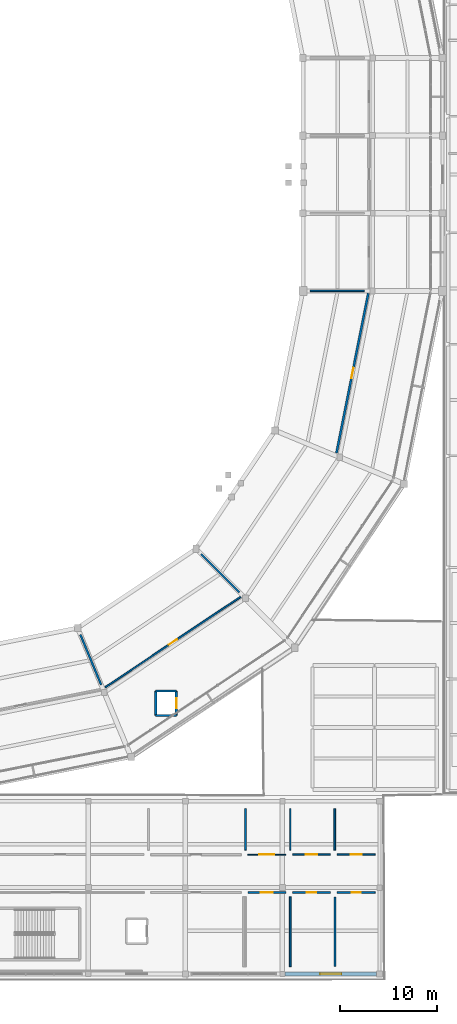
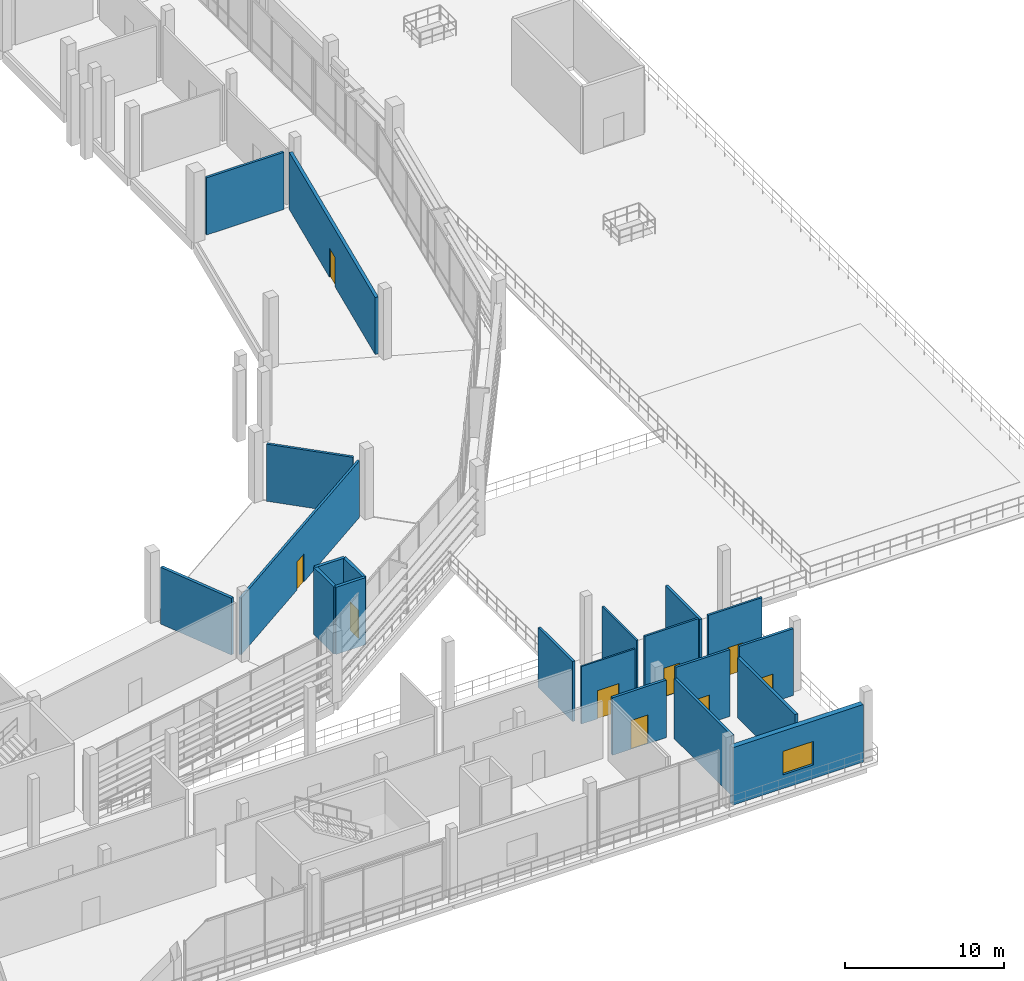
# One storey, part 76 of 111: 21 walls, 9 doors, 1 window, 10 openings.
"""IFC4 building model written with IfcOpenShell, lengths in metres."""

from ifc_helpers import new_model, si_unit, direction, frame, frame_2d, origin, place, context, subcontext, project, spatial, rectangle, extrude, material, layer, layer_set, type_object, element, fill, save


model = new_model("IFC4")

# Units and contexts
model_context = context("Model", 3, precision=1e-05, world=origin(), true_north=direction((0.0, 1.0)))
body_context = subcontext(model_context, "Body", "Model", "MODEL_VIEW")
ifc_project = project(units=[si_unit("LENGTHUNIT", "METRE"), si_unit("AREAUNIT", "SQUARE_METRE"), si_unit("VOLUMEUNIT", "CUBIC_METRE"), si_unit("PLANEANGLEUNIT", "RADIAN"), si_unit("MASSUNIT", "GRAM", prefix="KILO")], contexts=[model_context])

# Site, building, storey
site_placement = place(None, origin())
site = spatial("IfcSite", under=ifc_project, at=site_placement, CompositionType="ELEMENT")
building_placement = place(site_placement, origin())
building = spatial("IfcBuilding", under=site, at=building_placement, Name="Candeia Ridge Stadium", CompositionType="ELEMENT")
storey_placement = place(building_placement, frame((0.0, 0.0, 16.199951171875)))
storey = spatial("IfcBuildingStorey", under=building, at=storey_placement, Name="L03", CompositionType="ELEMENT", Elevation=16.199951171875)

# Wall, opening, door
ifc_material_1 = material(Name="Gypsum Metal-Stud Partition", Category="gypsum")
ifc_layer_1 = layer(ifc_material_1, 0.14501953125, Name="Gypsum Metal-Stud Partition", Category="gypsum")
ifc_layer_set_1 = layer_set([ifc_layer_1], Name="Gypsum Metal-Stud Partition")
wall_type_1 = type_object("IfcWallType", Name="Athlete Recovery Partition 145", PredefinedType="PARTITIONING", material=ifc_layer_set_1)
wall_1_placement = place(storey_placement, frame((181.449951171875, 12.89990234375, 0.0), z_axis=(0.0, 0.0, 1.0), x_axis=(-1.0, 0.0, 0.0)))
wall_1 = element("IfcWall", 1, at=wall_1_placement, inside=storey, type_object=wall_type_1, Name="Interior partition PT-L03-0559", PredefinedType="PARTITIONING", context=body_context, shape_type="SweptSolid", body=[
    extrude(rectangle(XDim=3.89990234375, YDim=0.14501953125, at=frame_2d((1.949951171875, 0.0))), origin(), (0.0, 0.0, 1.0), 5.1201171875),
])
opening_1_placement = place(wall_1_placement, frame((1.375, 0.0, 0.0)))
opening_1 = element("IfcOpeningElement", 2, at=opening_1_placement, cuts=wall_1, Name="Opening ID02", PredefinedType="OPENING", context=body_context, shape_type="SweptSolid", body=[
    extrude(rectangle(XDim=1.14990234375, YDim=2.199951171875, at=frame_2d((0.574951171875, 1.10009765625))), frame((0.0, 0.08251953125, 0.0), z_axis=(0.0, -1.0, 0.0), x_axis=(1.0, 0.0, 0.0)), (0.0, 0.0, 1.0), 0.1650390625),
])
ifc_material_2 = material(Name="Acoustic Timber Studio Leaf", Category="wood")
door_type_1 = type_object("IfcDoorType", Name="Broadcast & Press Studio Door 1150x2200", OperationType="NOTDEFINED", PredefinedType="DOOR", material=ifc_material_2)
door_1_placement = place(opening_1_placement, origin())
door_1 = element("IfcDoor", 3, at=door_1_placement, inside=storey, type_object=door_type_1, Name="Interior room door D-L03-0288", OperationType="SINGLE_SWING_RIGHT", OverallHeight=2.199951171875, OverallWidth=1.14990234375, PredefinedType="DOOR", context=body_context, shape_type="SweptSolid", body=[
    extrude(rectangle(XDim=1.14990234375, YDim=2.199951171875, at=frame_2d((0.574951171875, 1.10009765625))), frame((0.0, 0.02490234375, 0.0), z_axis=(0.0, -1.0, 0.0), x_axis=(1.0, 0.0, 0.0)), (0.0, 0.0, 1.0), 0.050048828125),
])
fill(opening_1, door_1)

ifc_material_3 = material(Name="Concrete Masonry Blockwork C25/30", Category="masonry")
ifc_layer_2 = layer(ifc_material_3, 0.14990234375, Name="Concrete Masonry Blockwork C25/30", Category="masonry")
ifc_layer_set_2 = layer_set([ifc_layer_2], Name="Concrete Masonry Blockwork C25/30")
wall_type_2 = type_object("IfcWallType", Name="Concourse Kiosk Partition 150", PredefinedType="PARTITIONING", material=ifc_layer_set_2)
wall_2_placement = place(storey_placement, frame((186.050048828125, 12.89990234375, 0.0), z_axis=(0.0, 0.0, 1.0), x_axis=(-1.0, 0.0, 0.0)))
wall_2 = element("IfcWall", 4, at=wall_2_placement, inside=storey, type_object=wall_type_2, Name="Interior partition PT-L03-0563", PredefinedType="PARTITIONING", context=body_context, shape_type="SweptSolid", body=[
    extrude(rectangle(XDim=3.900146484375, YDim=0.14990234375, at=frame_2d((1.9501953125, 0.0))), origin(), (0.0, 0.0, 1.0), 5.1201171875),
])
opening_2_placement = place(wall_2_placement, frame((1.39990234375, 0.0, 0.0)))
opening_2 = element("IfcOpeningElement", 5, at=opening_2_placement, cuts=wall_2, Name="Opening FD04", PredefinedType="OPENING", context=body_context, shape_type="SweptSolid", body=[
    extrude(rectangle(XDim=1.10009765625, YDim=2.14990234375, at=frame_2d((0.550048828125, 1.074951171875))), frame((0.0, 0.0849609375, 0.0), z_axis=(0.0, -1.0, 0.0), x_axis=(1.0, 0.0, 0.0)), (0.0, 0.0, 1.0), 0.169921875),
])
ifc_material_4 = material(Name="Galvanized Fire-Rated Steel", Category="steel")
door_type_2 = type_object("IfcDoorType", Name="Plant & Riser Rated Door 1100x2150", OperationType="NOTDEFINED", PredefinedType="DOOR", material=ifc_material_4)
door_2_placement = place(opening_2_placement, frame((1.10009765625, 0.0, 0.0), z_axis=(0.0, 0.0, 1.0), x_axis=(-1.0, 0.0, 0.0)))
door_2 = element("IfcDoor", 6, at=door_2_placement, inside=storey, type_object=door_type_2, Name="Interior room door D-L03-0290", OperationType="SINGLE_SWING_RIGHT", OverallHeight=2.14990234375, OverallWidth=1.10009765625, PredefinedType="DOOR", context=body_context, shape_type="SweptSolid", body=[
    extrude(rectangle(XDim=1.10009765625, YDim=2.14990234375, at=frame_2d((0.550048828125, 1.074951171875))), frame((0.0, 0.02490234375, 0.0), z_axis=(0.0, -1.0, 0.0), x_axis=(1.0, 0.0, 0.0)), (0.0, 0.0, 1.0), 0.050048828125),
])
fill(opening_2, door_2)

# Wall
ifc_material_5 = material(Name="Gypsum Acoustic Twin-Stud Assembly", Category="gypsum")
ifc_layer_3 = layer(ifc_material_5, 0.179931640625, Name="Gypsum Acoustic Twin-Stud Assembly", Category="gypsum")
ifc_layer_set_3 = layer_set([ifc_layer_3], Name="Gypsum Acoustic Twin-Stud Assembly")
wall_type_3 = type_object("IfcWallType", Name="Corridor Fire Partition 180", PredefinedType="PARTITIONING", material=ifc_layer_set_3)
wall_3_placement = place(storey_placement, frame((172.699951171875, 13.35009765625, 0.0), z_axis=(0.0, 0.0, 1.0), x_axis=(0.0, 1.0, 0.0)))
element("IfcWall", 7, at=wall_3_placement, inside=storey, type_object=wall_type_3, Name="Demising partition PT-L03-0556", PredefinedType="PARTITIONING", context=body_context, shape_type="SweptSolid", body=[
    extrude(rectangle(XDim=4.2998046875, YDim=0.179931640625, at=frame_2d((2.14990234375, 0.0))), origin(), (0.0, 0.0, 1.0), 4.60498046875),
])

# Wall, opening, door
wall_4_placement = place(storey_placement, frame((182.14990234375, 9.0, 0.0), z_axis=(0.0, 0.0, 1.0), x_axis=(1.0, 0.0, 0.0)))
wall_4 = element("IfcWall", 8, at=wall_4_placement, inside=storey, type_object=wall_type_3, Name="Interior partition PT-L03-0561", PredefinedType="PARTITIONING", context=body_context, shape_type="SweptSolid", body=[
    extrude(rectangle(XDim=3.900146484375, YDim=0.179931640625, at=frame_2d((1.9501953125, 0.0))), origin(), (0.0, 0.0, 1.0), 5.1201171875),
])
opening_3_placement = place(wall_4_placement, frame((1.47509765625, 0.0, 0.0)))
opening_3 = element("IfcOpeningElement", 9, at=opening_3_placement, cuts=wall_4, Name="Opening ID05", PredefinedType="OPENING", context=body_context, shape_type="SweptSolid", body=[
    extrude(rectangle(XDim=0.949951171875, YDim=2.14990234375, at=frame_2d((0.47509765625, 1.074951171875))), frame((0.0, 0.099853515625, 0.0), z_axis=(0.0, -1.0, 0.0), x_axis=(1.0, 0.0, 0.0)), (0.0, 0.0, 1.0), 0.199951171875),
])
ifc_material_6 = material(Name="Solid Core Cedar Veneer", Category="wood")
door_type_3 = type_object("IfcDoorType", Name="General Room Single Door 950x2150", OperationType="NOTDEFINED", PredefinedType="DOOR", material=ifc_material_6)
door_3_placement = place(opening_3_placement, frame((0.949951171875, 0.0, 0.0), z_axis=(0.0, 0.0, 1.0), x_axis=(-1.0, 0.0, 0.0)))
door_3 = element("IfcDoor", 10, at=door_3_placement, inside=storey, type_object=door_type_3, Name="Interior room door D-L03-0289", OperationType="SINGLE_SWING_LEFT", OverallHeight=2.14990234375, OverallWidth=0.949951171875, PredefinedType="DOOR", context=body_context, shape_type="SweptSolid", body=[
    extrude(rectangle(XDim=0.949951171875, YDim=2.14990234375, at=frame_2d((0.47509765625, 1.074951171875))), frame((0.0, 0.02490234375, 0.0), z_axis=(0.0, -1.0, 0.0), x_axis=(1.0, 0.0, 0.0)), (0.0, 0.0, 1.0), 0.050048828125),
])
fill(opening_3, door_3)

ifc_material_7 = material(Name="Moisture-Resistant Masonry & Tile", Category="masonry")
ifc_layer_4 = layer(ifc_material_7, 0.22998046875, Name="Moisture-Resistant Masonry & Tile", Category="masonry")
ifc_layer_set_4 = layer_set([ifc_layer_4], Name="Moisture-Resistant Masonry & Tile")
wall_type_4 = type_object("IfcWallType", Name="Dressing Suite Wet-Wall Chase 230", PredefinedType="PLUMBINGWALL", material=ifc_layer_set_4)
wall_5_placement = place(storey_placement, frame((185.351318359375, 70.7548828125, 0.0), z_axis=(0.0, 0.0, 1.0), x_axis=(-0.195100557291, -0.980783244425, 0.0)))
wall_5 = element("IfcWall", 11, at=wall_5_placement, inside=storey, type_object=wall_type_4, Name="Interior partition PT-L03-0607", PredefinedType="PLUMBINGWALL", context=body_context, shape_type="SweptSolid", body=[
    extrude(rectangle(XDim=16.783203125, YDim=0.22998046875, at=frame_2d((8.3916015625, 0.0))), origin(), (0.0, 0.0, 1.0), 4.364990234375),
])
opening_4_placement = place(wall_5_placement, frame((7.8515625, 0.0, 0.0)))
opening_4 = element("IfcOpeningElement", 12, at=opening_4_placement, cuts=wall_5, Name="Opening ID08", PredefinedType="OPENING", context=body_context, shape_type="SweptSolid", body=[
    extrude(rectangle(XDim=1.080078125, YDim=2.25, at=frame_2d((0.5400390625, 1.125))), frame((0.0, 0.125, 0.0), z_axis=(0.0, -1.0, 0.0), x_axis=(1.0, 0.0, 0.0)), (0.0, 0.0, 1.0), 0.25),
])
ifc_material_8 = material(Name="Western Red Cedar Acoustic Veneer", Category="wood")
door_type_4 = type_object("IfcDoorType", Name="Executive Skybox Entry Door 1080x2250", OperationType="NOTDEFINED", PredefinedType="DOOR", material=ifc_material_8)
door_4_placement = place(opening_4_placement, origin())
door_4 = element("IfcDoor", 13, at=door_4_placement, inside=storey, type_object=door_type_4, Name="Interior room door D-L03-0312", OperationType="SINGLE_SWING_RIGHT", OverallHeight=2.25, OverallWidth=1.080078125, PredefinedType="DOOR", context=body_context, shape_type="SweptSolid", body=[
    extrude(rectangle(XDim=1.080078125, YDim=2.25, at=frame_2d((0.5400390625, 1.125))), frame((0.0, 0.02490234375, 0.0), z_axis=(0.0, -1.0, 0.0), x_axis=(1.0, 0.0, 0.0)), (0.0, 0.0, 1.0), 0.050048828125),
])
fill(opening_4, door_4)

# Wall, opening, window
ifc_material_9 = material(Name="Concrete C40/50", Category="concrete")
ifc_layer_5 = layer(ifc_material_9, 0.3798828125, Name="Concrete C40/50", Category="concrete")
ifc_layer_set_5 = layer_set([ifc_layer_5], Name="Concrete C40/50")
wall_type_5 = type_object("IfcWallType", Name="Exterior Museum Gallery Wall 380", PredefinedType="SOLIDWALL", material=ifc_layer_set_5)
wall_6_placement = place(storey_placement, frame((176.762939453125, 0.60009765625, 0.0), z_axis=(0.0, 0.0, 1.0), x_axis=(1.0, 0.0, 0.0)))
wall_6 = element("IfcWall", 14, at=wall_6_placement, inside=storey, type_object=wall_type_5, Name="Exterior facade wall EW-L03-0187", PredefinedType="SOLIDWALL", context=body_context, shape_type="SweptSolid", body=[
    extrude(rectangle(XDim=9.448974609375, YDim=0.3798828125, at=frame_2d((4.724609375, 0.0))), origin(), (0.0, 0.0, 1.0), 4.405029296875),
])
opening_5_placement = place(wall_6_placement, frame((3.62451171875, 0.0, 1.050048828125)))
opening_5 = element("IfcOpeningElement", 15, at=opening_5_placement, cuts=wall_6, Name="Opening W07", PredefinedType="OPENING", context=body_context, shape_type="SweptSolid", body=[
    extrude(rectangle(XDim=2.199951171875, YDim=1.800048828125, at=frame_2d((1.10009765625, 0.89990234375))), frame((0.0, 0.199951171875, 0.0), z_axis=(0.0, -1.0, 0.0), x_axis=(1.0, 0.0, 0.0)), (0.0, 0.0, 1.0), 0.39990234375),
])
ifc_material_10 = material(Name="Tempered Solar-Control Double Glazing", Category="glass")
window_type = type_object("IfcWindowType", Name="Museum Gallery Window 2200x1800", PartitioningType="SINGLE_PANEL", PredefinedType="WINDOW", material=ifc_material_10)
window_placement = place(opening_5_placement, origin())
window = element("IfcWindow", 16, at=window_placement, inside=storey, type_object=window_type, Name="Exterior window WIN-L03-108", OverallHeight=1.800048828125, OverallWidth=2.199951171875, PartitioningType="SINGLE_PANEL", PredefinedType="WINDOW", context=body_context, shape_type="SweptSolid", body=[
    extrude(rectangle(XDim=2.199951171875, YDim=1.800048828125, at=frame_2d((1.10009765625, 0.89990234375))), frame((0.0, 0.030029296875, 0.0), z_axis=(0.0, -1.0, 0.0), x_axis=(1.0, 0.0, 0.0)), (0.0, 0.0, 1.0), 0.06005859375),
])
fill(opening_5, window)

# Wall
ifc_layer_6 = layer(ifc_material_1, 0.135009765625, Name="Gypsum Metal-Stud Partition", Category="gypsum")
ifc_layer_set_6 = layer_set([ifc_layer_6], Name="Gypsum Metal-Stud Partition")
wall_type_6 = type_object("IfcWallType", Name="General Room Partition 135", PredefinedType="PARTITIONING", material=ifc_layer_set_6)
wall_7_placement = place(storey_placement, frame((177.300048828125, 13.35009765625, 0.0), z_axis=(0.0, 0.0, 1.0), x_axis=(0.0, 1.0, 0.0)))
element("IfcWall", 17, at=wall_7_placement, inside=storey, type_object=wall_type_6, Name="Demising partition PT-L03-0560", PredefinedType="PARTITIONING", context=body_context, shape_type="SweptSolid", body=[
    extrude(rectangle(XDim=4.2998046875, YDim=0.135009765625, at=frame_2d((2.14990234375, 0.0))), origin(), (0.0, 0.0, 1.0), 4.60498046875),
])

# Wall, opening, door
ifc_layer_7 = layer(ifc_material_5, 0.1650390625, Name="Gypsum Acoustic Twin-Stud Assembly", Category="gypsum")
ifc_layer_set_7 = layer_set([ifc_layer_7], Name="Gypsum Acoustic Twin-Stud Assembly")
wall_type_7 = type_object("IfcWallType", Name="Hospitality Suite Acoustic Wall 165", PredefinedType="PARTITIONING", material=ifc_layer_set_7)
wall_8_placement = place(storey_placement, frame((172.1875, 39.465576171875, 0.0), z_axis=(0.0, 0.0, 1.0), x_axis=(-0.831467963177, -0.555572701103, 0.0)))
wall_8 = element("IfcWall", 18, at=wall_8_placement, inside=storey, type_object=wall_type_7, Name="Interior partition PT-L03-0605", PredefinedType="PARTITIONING", context=body_context, shape_type="SweptSolid", body=[
    extrude(rectangle(XDim=16.782958984375, YDim=0.1650390625, at=frame_2d((8.3916015625, 0.0))), origin(), (0.0, 0.0, 1.0), 4.344970703125),
])
opening_6_placement = place(wall_8_placement, frame((7.8916015625, 0.0, 0.0)))
opening_6 = element("IfcOpeningElement", 19, at=opening_6_placement, cuts=wall_8, Name="Opening ID04", PredefinedType="OPENING", context=body_context, shape_type="SweptSolid", body=[
    extrude(rectangle(XDim=1.0, YDim=2.14990234375, at=frame_2d((0.5, 1.074951171875))), frame((0.0, 0.092529296875, 0.0), z_axis=(0.0, -1.0, 0.0), x_axis=(1.0, 0.0, 0.0)), (0.0, 0.0, 1.0), 0.18505859375),
])
ifc_material_11 = material(Name="Powder-Coated Hollow Metal", Category="steel")
door_type_5 = type_object("IfcDoorType", Name="Concourse Kiosk Service Door 1000x2150", OperationType="NOTDEFINED", PredefinedType="DOOR", material=ifc_material_11)
door_5_placement = place(opening_6_placement, origin())
door_5 = element("IfcDoor", 20, at=door_5_placement, inside=storey, type_object=door_type_5, Name="Interior room door D-L03-0311", OperationType="SINGLE_SWING_LEFT", OverallHeight=2.14990234375, OverallWidth=1.0, PredefinedType="DOOR", context=body_context, shape_type="SweptSolid", body=[
    extrude(rectangle(XDim=1.0, YDim=2.14990234375, at=frame_2d((0.5, 1.074951171875))), frame((0.0, 0.02490234375, 0.0), z_axis=(0.0, -1.0, 0.0), x_axis=(1.0, 0.0, 0.0)), (0.0, 0.0, 1.0), 0.050048828125),
])
fill(opening_6, door_5)

# Wall
ifc_layer_8 = layer(ifc_material_9, 0.219970703125, Name="Concrete C40/50", Category="concrete")
ifc_layer_set_8 = layer_set([ifc_layer_8], Name="Concrete C40/50")
wall_type_8 = type_object("IfcWallType", Name="Lift & Riser Shaft Wall 220", PredefinedType="SHEAR", material=ifc_layer_set_8)
wall_9_placement = place(storey_placement, frame((163.43994140625, 27.239990234375, 0.0), z_axis=(0.0, 0.0, 1.0), x_axis=(1.0, 0.0, 0.0)))
element("IfcWall", 21, at=wall_9_placement, inside=storey, type_object=wall_type_8, Name="Lift EL1 shaft wall L03 south", PredefinedType="SHEAR", context=body_context, shape_type="SweptSolid", body=[
    extrude(rectangle(XDim=2.1201171875, YDim=0.219970703125, at=frame_2d((1.06005859375, 0.0))), origin(), (0.0, 0.0, 1.0), 5.14013671875),
])

# Wall, opening, door
wall_10_placement = place(storey_placement, frame((165.56005859375, 27.239990234375, 0.0), z_axis=(0.0, 0.0, 1.0), x_axis=(0.0, 1.0, 0.0)))
wall_10 = element("IfcWall", 22, at=wall_10_placement, inside=storey, type_object=wall_type_8, Name="Lift EL1 shaft wall L03 east", PredefinedType="SHEAR", context=body_context, shape_type="SweptSolid", body=[
    extrude(rectangle(XDim=2.52001953125, YDim=0.219970703125, at=frame_2d((1.260009765625, 0.0))), origin(), (0.0, 0.0, 1.0), 5.14013671875),
])
opening_7_placement = place(wall_10_placement, frame((0.735107421875, 0.0, 0.0)))
opening_7 = element("IfcOpeningElement", 23, at=opening_7_placement, cuts=wall_10, Name="Opening LD02", PredefinedType="OPENING", context=body_context, shape_type="SweptSolid", body=[
    extrude(rectangle(XDim=1.050048828125, YDim=2.14990234375, at=frame_2d((0.52490234375, 1.074951171875))), frame((0.0, 0.119873046875, 0.0), z_axis=(0.0, -1.0, 0.0), x_axis=(1.0, 0.0, 0.0)), (0.0, 0.0, 1.0), 0.239990234375),
])
ifc_material_12 = material(Name="Brushed Stainless Steel", Category="steel")
door_type_6 = type_object("IfcDoorType", Name="Passenger Lift Landing Door 1050x2150", OperationType="NOTDEFINED", PredefinedType="DOOR", material=ifc_material_12)
door_6_placement = place(opening_7_placement, origin())
door_6 = element("IfcDoor", 24, at=door_6_placement, inside=storey, type_object=door_type_6, Name="Lift landing sliding door LD-EL1-L03", OperationType="DOUBLE_DOOR_SLIDING", OverallHeight=2.14990234375, OverallWidth=1.050048828125, PredefinedType="DOOR", context=body_context, shape_type="SweptSolid", body=[
    extrude(rectangle(XDim=1.050048828125, YDim=2.14990234375, at=frame_2d((0.52490234375, 1.074951171875))), frame((0.0, 0.02490234375, 0.0), z_axis=(0.0, -1.0, 0.0), x_axis=(1.0, 0.0, 0.0)), (0.0, 0.0, 1.0), 0.050048828125),
])
fill(opening_7, door_6)

# Walls
wall_11_placement = place(storey_placement, frame((165.56005859375, 29.760009765625, 0.0), z_axis=(0.0, 0.0, 1.0), x_axis=(-1.0, 0.0, 0.0)))
element("IfcWall", 25, at=wall_11_placement, inside=storey, type_object=wall_type_8, Name="Lift EL1 shaft wall L03 north", PredefinedType="SHEAR", context=body_context, shape_type="SweptSolid", body=[
    extrude(rectangle(XDim=2.1201171875, YDim=0.219970703125, at=frame_2d((1.06005859375, 0.0))), origin(), (0.0, 0.0, 1.0), 5.14013671875),
])
wall_12_placement = place(storey_placement, frame((163.43994140625, 29.760009765625, 0.0), z_axis=(0.0, 0.0, 1.0), x_axis=(0.0, -1.0, 0.0)))
element("IfcWall", 26, at=wall_12_placement, inside=storey, type_object=wall_type_8, Name="Lift EL1 shaft wall L03 west", PredefinedType="SHEAR", context=body_context, shape_type="SweptSolid", body=[
    extrude(rectangle(XDim=2.52001953125, YDim=0.219970703125, at=frame_2d((1.260009765625, 0.0))), origin(), (0.0, 0.0, 1.0), 5.14013671875),
])

# Wall, opening, door
ifc_material_13 = material(Name="Gypsum Acoustic Triple-Board Wall", Category="gypsum")
ifc_layer_9 = layer(ifc_material_13, 0.18994140625, Name="Gypsum Acoustic Triple-Board Wall", Category="gypsum")
ifc_layer_set_9 = layer_set([ifc_layer_9], Name="Gypsum Acoustic Triple-Board Wall")
wall_type_9 = type_object("IfcWallType", Name="Media & Commentary Studio Wall 190", PredefinedType="PARTITIONING", material=ifc_layer_set_9)
wall_13_placement = place(storey_placement, frame((172.949951171875, 9.0, 0.0), z_axis=(0.0, 0.0, 1.0), x_axis=(1.0, 0.0, 0.0)))
wall_13 = element("IfcWall", 27, at=wall_13_placement, inside=storey, type_object=wall_type_9, Name="Interior partition PT-L03-0553", PredefinedType="PARTITIONING", context=body_context, shape_type="SweptSolid", body=[
    extrude(rectangle(XDim=3.900146484375, YDim=0.18994140625, at=frame_2d((1.9501953125, 0.0))), origin(), (0.0, 0.0, 1.0), 4.405029296875),
])
opening_8_placement = place(wall_13_placement, frame((1.324951171875, 0.0, 0.0)))
opening_8 = element("IfcOpeningElement", 28, at=opening_8_placement, cuts=wall_13, Name="Opening ID11", PredefinedType="OPENING", context=body_context, shape_type="SweptSolid", body=[
    extrude(rectangle(XDim=1.25, YDim=2.199951171875, at=frame_2d((0.625, 1.10009765625))), frame((0.0, 0.10498046875, 0.0), z_axis=(0.0, -1.0, 0.0), x_axis=(1.0, 0.0, 0.0)), (0.0, 0.0, 1.0), 0.2099609375),
])
door_type_7 = type_object("IfcDoorType", Name="Press Tribune Acoustic Door 1250x2200", OperationType="NOTDEFINED", PredefinedType="DOOR", material=ifc_material_2)
door_7_placement = place(opening_8_placement, frame((1.25, 0.0, 0.0), z_axis=(0.0, 0.0, 1.0), x_axis=(-1.0, 0.0, 0.0)))
door_7 = element("IfcDoor", 29, at=door_7_placement, inside=storey, type_object=door_type_7, Name="Interior room door D-L03-0285", OperationType="SINGLE_SWING_RIGHT", OverallHeight=2.199951171875, OverallWidth=1.25, PredefinedType="DOOR", context=body_context, shape_type="SweptSolid", body=[
    extrude(rectangle(XDim=1.25, YDim=2.199951171875, at=frame_2d((0.625, 1.10009765625))), frame((0.0, 0.02490234375, 0.0), z_axis=(0.0, -1.0, 0.0), x_axis=(1.0, 0.0, 0.0)), (0.0, 0.0, 1.0), 0.050048828125),
])
fill(opening_8, door_7)

# Wall
wall_14_placement = place(storey_placement, frame((177.300048828125, 1.35009765625, 0.0), z_axis=(0.0, 0.0, 1.0), x_axis=(0.0, 1.0, 0.0)))
element("IfcWall", 30, at=wall_14_placement, inside=storey, type_object=wall_type_9, Name="Demising partition PT-L03-0558", PredefinedType="PARTITIONING", context=body_context, shape_type="SweptSolid", body=[
    extrude(rectangle(XDim=7.199951171875, YDim=0.18994140625, at=frame_2d((3.60009765625, 0.0))), origin(), (0.0, 0.0, 1.0), 4.60498046875),
])

# Wall, opening, door
ifc_layer_10 = layer(ifc_material_5, 0.175048828125, Name="Gypsum Acoustic Twin-Stud Assembly", Category="gypsum")
ifc_layer_set_10 = layer_set([ifc_layer_10], Name="Gypsum Acoustic Twin-Stud Assembly")
wall_type_10 = type_object("IfcWallType", Name="Museum Acoustic Gallery Wall 175", PredefinedType="PARTITIONING", material=ifc_layer_set_10)
wall_15_placement = place(storey_placement, frame((177.550048828125, 9.0, 0.0), z_axis=(0.0, 0.0, 1.0), x_axis=(1.0, 0.0, 0.0)))
wall_15 = element("IfcWall", 31, at=wall_15_placement, inside=storey, type_object=wall_type_10, Name="Interior partition PT-L03-0557", PredefinedType="PARTITIONING", context=body_context, shape_type="SweptSolid", body=[
    extrude(rectangle(XDim=3.89990234375, YDim=0.175048828125, at=frame_2d((1.949951171875, 0.0))), origin(), (0.0, 0.0, 1.0), 5.1201171875),
])
opening_9_placement = place(wall_15_placement, frame((1.469970703125, 0.0, 0.0)))
opening_9 = element("IfcOpeningElement", 32, at=opening_9_placement, cuts=wall_15, Name="Opening ID17", PredefinedType="OPENING", context=body_context, shape_type="SweptSolid", body=[
    extrude(rectangle(XDim=0.9599609375, YDim=2.14990234375, at=frame_2d((0.47998046875, 1.074951171875))), frame((0.0, 0.097412109375, 0.0), z_axis=(0.0, -1.0, 0.0), x_axis=(1.0, 0.0, 0.0)), (0.0, 0.0, 1.0), 0.195068359375),
])
door_type_8 = type_object("IfcDoorType", Name="Ticketing Office Single Door 960x2150", OperationType="NOTDEFINED", PredefinedType="DOOR", material=ifc_material_6)
door_8_placement = place(opening_9_placement, origin())
door_8 = element("IfcDoor", 33, at=door_8_placement, inside=storey, type_object=door_type_8, Name="Interior room door D-L03-0287", OperationType="SINGLE_SWING_LEFT", OverallHeight=2.14990234375, OverallWidth=0.9599609375, PredefinedType="DOOR", context=body_context, shape_type="SweptSolid", body=[
    extrude(rectangle(XDim=0.9599609375, YDim=2.14990234375, at=frame_2d((0.47998046875, 1.074951171875))), frame((0.0, 0.02490234375, 0.0), z_axis=(0.0, -1.0, 0.0), x_axis=(1.0, 0.0, 0.0)), (0.0, 0.0, 1.0), 0.050048828125),
])
fill(opening_9, door_8)

# Walls
wall_16_placement = place(storey_placement, frame((181.89990234375, 13.35009765625, 0.0), z_axis=(0.0, 0.0, 1.0), x_axis=(0.0, 1.0, 0.0)))
element("IfcWall", 34, at=wall_16_placement, inside=storey, type_object=wall_type_10, Name="Demising partition PT-L03-0564", PredefinedType="PARTITIONING", context=body_context, shape_type="SweptSolid", body=[
    extrude(rectangle(XDim=4.2998046875, YDim=0.175048828125, at=frame_2d((2.14990234375, 0.0))), origin(), (0.0, 0.0, 1.0), 4.60498046875),
])
wall_17_placement = place(storey_placement, frame((168.117431640625, 43.882568359375, 0.0), z_axis=(0.0, 0.0, 1.0), x_axis=(0.707106781187, -0.707106781187, 0.0)))
element("IfcWall", 35, at=wall_17_placement, inside=storey, type_object=wall_type_10, Name="Demising partition PT-L03-0606", PredefinedType="PARTITIONING", context=body_context, shape_type="SweptSolid", body=[
    extrude(rectangle(XDim=5.600341796875, YDim=0.175048828125, at=frame_2d((2.80029296875, 0.0))), origin(), (0.0, 0.0, 1.0), 4.375),
])
ifc_layer_11 = layer(ifc_material_7, 0.2099609375, Name="Moisture-Resistant Masonry & Tile", Category="masonry")
ifc_layer_set_11 = layer_set([ifc_layer_11], Name="Moisture-Resistant Masonry & Tile")
wall_type_11 = type_object("IfcWallType", Name="Sanitary Wet-Wall Plumbing Chase 210", PredefinedType="PLUMBINGWALL", material=ifc_layer_set_11)
wall_18_placement = place(storey_placement, frame((181.89990234375, 1.35009765625, 0.0), z_axis=(0.0, 0.0, 1.0), x_axis=(0.0, 1.0, 0.0)))
element("IfcWall", 36, at=wall_18_placement, inside=storey, type_object=wall_type_11, Name="Demising partition PT-L03-0562", PredefinedType="PLUMBINGWALL", context=body_context, shape_type="SweptSolid", body=[
    extrude(rectangle(XDim=7.199951171875, YDim=0.2099609375, at=frame_2d((3.60009765625, 0.0))), origin(), (0.0, 0.0, 1.0), 4.60498046875),
])
wall_19_placement = place(storey_placement, frame((155.67578125, 35.5693359375, 0.0), z_axis=(0.0, 0.0, 1.0), x_axis=(0.382682918336, -0.923879745429, 0.0)))
element("IfcWall", 37, at=wall_19_placement, inside=storey, type_object=wall_type_11, Name="Demising partition PT-L03-0604", PredefinedType="PLUMBINGWALL", context=body_context, shape_type="SweptSolid", body=[
    extrude(rectangle(XDim=5.60009765625, YDim=0.2099609375, at=frame_2d((2.800048828125, 0.0))), origin(), (0.0, 0.0, 1.0), 4.344970703125),
])
ifc_layer_12 = layer(ifc_material_5, 0.169921875, Name="Gypsum Acoustic Twin-Stud Assembly", Category="gypsum")
ifc_layer_set_12 = layer_set([ifc_layer_12], Name="Gypsum Acoustic Twin-Stud Assembly")
wall_type_12 = type_object("IfcWallType", Name="Skybox Demising Acoustic Wall 170", PredefinedType="PARTITIONING", material=ifc_layer_set_12)
wall_20_placement = place(storey_placement, frame((179.35009765625, 71.0, 0.0), z_axis=(0.0, 0.0, 1.0), x_axis=(1.0, 0.0, 0.0)))
element("IfcWall", 38, at=wall_20_placement, inside=storey, type_object=wall_type_12, Name="Demising partition PT-L03-0608", PredefinedType="PARTITIONING", context=body_context, shape_type="SweptSolid", body=[
    extrude(rectangle(XDim=5.599853515625, YDim=0.169921875, at=frame_2d((2.7998046875, 0.0))), origin(), (0.0, 0.0, 1.0), 4.385009765625),
])

# Wall, opening, door
ifc_layer_13 = layer(ifc_material_1, 0.1201171875, Name="Gypsum Metal-Stud Partition", Category="gypsum")
ifc_layer_set_13 = layer_set([ifc_layer_13], Name="Gypsum Metal-Stud Partition")
wall_type_13 = type_object("IfcWallType", Name="Suite Internal Divider 120", PredefinedType="PARTITIONING", material=ifc_layer_set_13)
wall_21_placement = place(storey_placement, frame((176.85009765625, 12.89990234375, 0.0), z_axis=(0.0, 0.0, 1.0), x_axis=(-1.0, 0.0, 0.0)))
wall_21 = element("IfcWall", 39, at=wall_21_placement, inside=storey, type_object=wall_type_13, Name="Interior partition PT-L03-0555", PredefinedType="PARTITIONING", context=body_context, shape_type="SweptSolid", body=[
    extrude(rectangle(XDim=3.900146484375, YDim=0.1201171875, at=frame_2d((1.9501953125, 0.0))), origin(), (0.0, 0.0, 1.0), 4.405029296875),
])
opening_10_placement = place(wall_21_placement, frame((1.175048828125, 0.0, 0.0)))
opening_10 = element("IfcOpeningElement", 40, at=opening_10_placement, cuts=wall_21, Name="Opening ID14", PredefinedType="OPENING", context=body_context, shape_type="SweptSolid", body=[
    extrude(rectangle(XDim=1.550048828125, YDim=2.14990234375, at=frame_2d((0.77490234375, 1.074951171875))), frame((0.0, 0.070068359375, 0.0), z_axis=(0.0, -1.0, 0.0), x_axis=(1.0, 0.0, 0.0)), (0.0, 0.0, 1.0), 0.14013671875),
])
door_type_9 = type_object("IfcDoorType", Name="Catering Kitchen Double Door 1550x2150", OperationType="NOTDEFINED", PredefinedType="DOOR", material=ifc_material_12)
door_9_placement = place(opening_10_placement, origin())
door_9 = element("IfcDoor", 41, at=door_9_placement, inside=storey, type_object=door_type_9, Name="Interior room door D-L03-0286", OperationType="DOUBLE_DOOR_SINGLE_SWING", OverallHeight=2.14990234375, OverallWidth=1.550048828125, PredefinedType="DOOR", context=body_context, shape_type="SweptSolid", body=[
    extrude(rectangle(XDim=1.550048828125, YDim=2.14990234375, at=frame_2d((0.77490234375, 1.074951171875))), frame((0.0, 0.02490234375, 0.0), z_axis=(0.0, -1.0, 0.0), x_axis=(1.0, 0.0, 0.0)), (0.0, 0.0, 1.0), 0.050048828125),
])
fill(opening_10, door_9)

save(model, "model.ifc")
